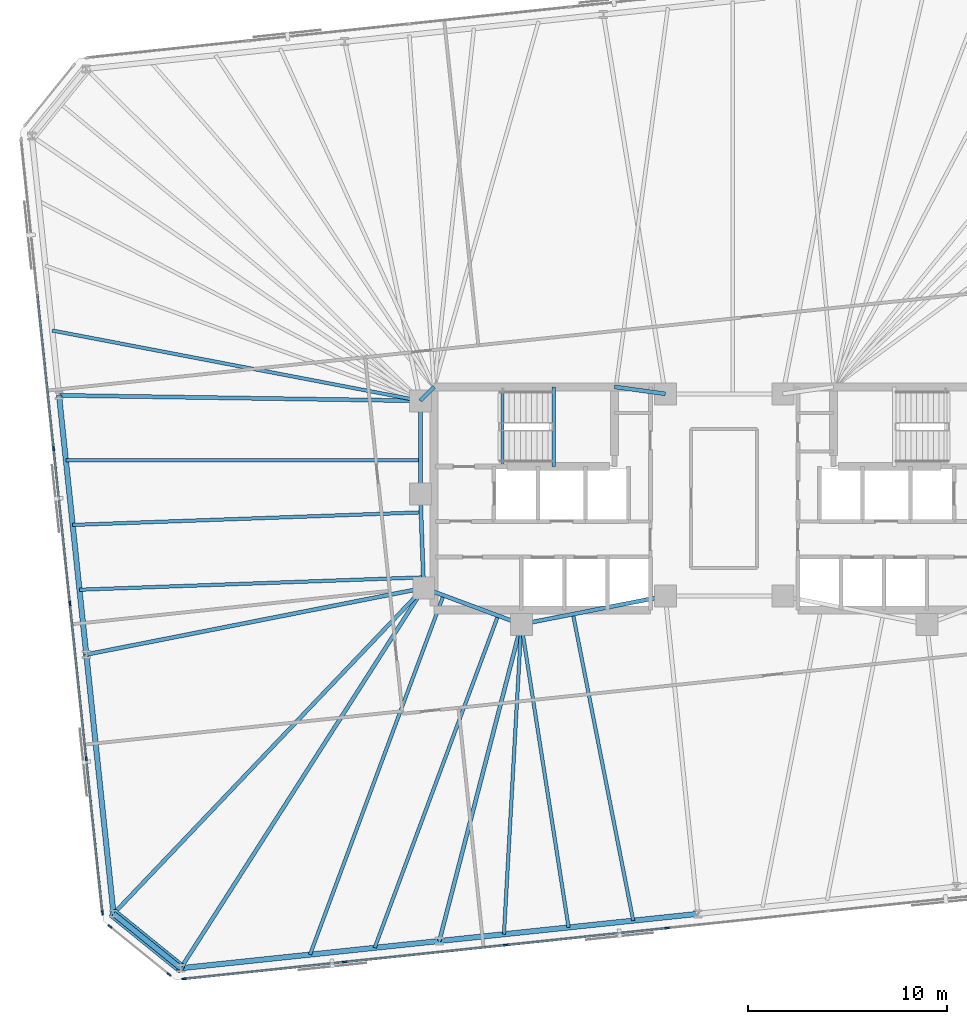
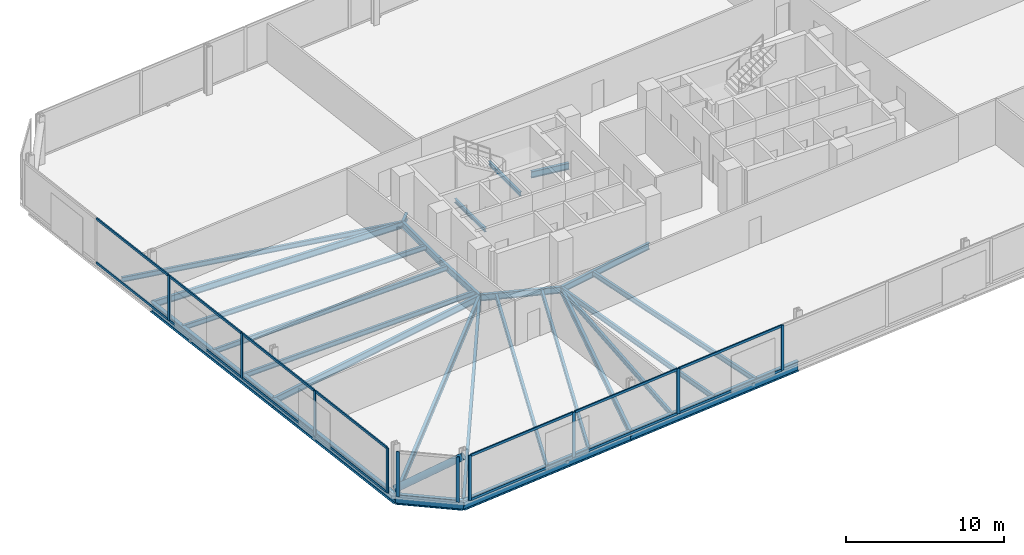
# One storey, part 6 of 18: 27 beams, 25 members, 3 elements without a shape of their own.
"""IFC4 building model written with IfcOpenShell, lengths in metres."""

from ifc_helpers import new_model, si_unit, direction, frame, origin, origin_2d, place, context, subcontext, project, spatial, rectangle, hollow_circle, i_section, extrude, material, material_profile, profile_set, type_object, element, aggregate, save


model = new_model("IFC4")

# Units and contexts
model_context = context("Model", 3, precision=1e-05, world=origin(), true_north=direction((0.0, 1.0)))
body_context = subcontext(model_context, "Body", "Model", "MODEL_VIEW")
ifc_project = project(units=[si_unit("LENGTHUNIT", "METRE"), si_unit("AREAUNIT", "SQUARE_METRE"), si_unit("VOLUMEUNIT", "CUBIC_METRE"), si_unit("PLANEANGLEUNIT", "RADIAN"), si_unit("MASSUNIT", "GRAM", prefix="KILO")], contexts=[model_context])

# Site, building, storey
site_placement = place(None, origin())
site = spatial("IfcSite", under=ifc_project, at=site_placement, CompositionType="ELEMENT")
building_placement = place(site_placement, origin())
building = spatial("IfcBuilding", under=site, at=building_placement, Name="Menara Jurai Vektor", CompositionType="ELEMENT")
storey_placement = place(building_placement, frame((0.0, 0.0, 135.5)))
storey = spatial("IfcBuildingStorey", under=building, at=storey_placement, Name="L34", CompositionType="ELEMENT", Elevation=135.5)

# Curtain wall, members
ifc_material_1 = material(Name="Anodised Pale Aluminium & Low-E Double Glazing", Category="aluminium")
curtain_wall_type = type_object("IfcCurtainWallType", Name="CW-BLK2", PredefinedType="NOTDEFINED", material=ifc_material_1)
curtain_wall_1_placement = place(storey_placement, origin())
curtain_wall_1 = element("IfcCurtainWall", 1, at=curtain_wall_1_placement, inside=storey, type_object=curtain_wall_type, Name="Unitised Curtain Wall L34 F01", PredefinedType="NOTDEFINED")
ifc_material_2 = material(Name="Anodised Pale Aluminium Mullion", Category="aluminium")
ifc_material_profile_1 = material_profile(ifc_material_2, rectangle(XDim=0.090087890625, YDim=0.219970703125, at=origin_2d()), Name="ALU MUL 90x220")
ifc_profile_set_1 = profile_set([ifc_material_profile_1], Name="Anodised Pale Aluminium Mullion")
member_type_1 = type_object("IfcMemberType", Name="CW-BLK2-MUL", PredefinedType="MULLION", material=ifc_profile_set_1)
member_1_placement = place(storey_placement, frame((-27.116455078125, -24.122314453125, 0.0), z_axis=(0.0, 0.0, 1.0), x_axis=(-0.104528634935, 0.994521877325, 0.0)))
member_1 = element("IfcMember", 2, at=member_1_placement, type_object=member_type_1, Name="CW-02 mullion 1", PredefinedType="MULLION", context=body_context, shape_type="SweptSolid", body=[
    extrude(rectangle(XDim=0.090087890625, YDim=0.219970703125, at=origin_2d()), origin(), (0.0, 0.0, 1.0), 3.47509765625),
])
member_2_placement = place(storey_placement, frame((-19.0634765625, -23.27587890625, 0.0), z_axis=(0.0, 0.0, 1.0), x_axis=(-0.104528634935, 0.994521877325, 0.0)))
member_2 = element("IfcMember", 3, at=member_2_placement, type_object=member_type_1, Name="CW-02 mullion 2", PredefinedType="MULLION", context=body_context, shape_type="SweptSolid", body=[
    extrude(rectangle(XDim=0.090087890625, YDim=0.219970703125, at=origin_2d()), origin(), (0.0, 0.0, 1.0), 3.47509765625),
])
member_3_placement = place(storey_placement, frame((-10.965576171875, -22.4248046875, 0.0), z_axis=(0.0, 0.0, 1.0), x_axis=(-0.104528634935, 0.994521877325, 0.0)))
member_3 = element("IfcMember", 4, at=member_3_placement, type_object=member_type_1, Name="CW-02 mullion 3", PredefinedType="MULLION", context=body_context, shape_type="SweptSolid", body=[
    extrude(rectangle(XDim=0.090087890625, YDim=0.219970703125, at=origin_2d()), origin(), (0.0, 0.0, 1.0), 3.47509765625),
])
member_4_placement = place(storey_placement, frame((-2.86767578125, -21.57373046875, 0.0), z_axis=(0.0, 0.0, 1.0), x_axis=(-0.104528634935, 0.994521877325, 0.0)))
member_4 = element("IfcMember", 5, at=member_4_placement, type_object=member_type_1, Name="CW-02 mullion 4", PredefinedType="MULLION", context=body_context, shape_type="SweptSolid", body=[
    extrude(rectangle(XDim=0.090087890625, YDim=0.219970703125, at=origin_2d()), origin(), (0.0, 0.0, 1.0), 3.47509765625),
])

curtain_wall_2_placement = place(storey_placement, origin())
curtain_wall_2 = element("IfcCurtainWall", 6, at=curtain_wall_2_placement, inside=storey, type_object=curtain_wall_type, Name="Unitised Curtain Wall L34 F07", PredefinedType="NOTDEFINED")
member_5_placement = place(storey_placement, frame((-33.66064453125, 2.50341796875, 0.0), z_axis=(0.0, 0.0, 1.0), x_axis=(0.99452177832, 0.104529576902, 0.0)))
member_5 = element("IfcMember", 7, at=member_5_placement, type_object=member_type_1, Name="CW-02 mullion 3", PredefinedType="MULLION", context=body_context, shape_type="SweptSolid", body=[
    extrude(rectangle(XDim=0.090087890625, YDim=0.219970703125, at=origin_2d()), origin(), (0.0, 0.0, 1.0), 3.47509765625),
])
member_6_placement = place(storey_placement, frame((-32.84228515625, -5.28173828125, 0.0), z_axis=(0.0, 0.0, 1.0), x_axis=(0.99452177832, 0.104529576902, 0.0)))
member_6 = element("IfcMember", 8, at=member_6_placement, type_object=member_type_1, Name="CW-02 mullion 4", PredefinedType="MULLION", context=body_context, shape_type="SweptSolid", body=[
    extrude(rectangle(XDim=0.090087890625, YDim=0.219970703125, at=origin_2d()), origin(), (0.0, 0.0, 1.0), 3.47509765625),
])
member_7_placement = place(storey_placement, frame((-32.024169921875, -13.06689453125, 0.0), z_axis=(0.0, 0.0, 1.0), x_axis=(0.99452177832, 0.104529576902, 0.0)))
member_7 = element("IfcMember", 9, at=member_7_placement, type_object=member_type_1, Name="CW-02 mullion 5", PredefinedType="MULLION", context=body_context, shape_type="SweptSolid", body=[
    extrude(rectangle(XDim=0.090087890625, YDim=0.219970703125, at=origin_2d()), origin(), (0.0, 0.0, 1.0), 3.47509765625),
])
member_8_placement = place(storey_placement, frame((-31.21044921875, -20.80712890625, 0.0), z_axis=(0.0, 0.0, 1.0), x_axis=(0.99452177832, 0.104529576902, 0.0)))
member_8 = element("IfcMember", 10, at=member_8_placement, type_object=member_type_1, Name="CW-02 mullion 6", PredefinedType="MULLION", context=body_context, shape_type="SweptSolid", body=[
    extrude(rectangle(XDim=0.090087890625, YDim=0.219970703125, at=origin_2d()), origin(), (0.0, 0.0, 1.0), 3.47509765625),
])

curtain_wall_3_placement = place(storey_placement, origin())
curtain_wall_3 = element("IfcCurtainWall", 11, at=curtain_wall_3_placement, inside=storey, type_object=curtain_wall_type, Name="Unitised Curtain Wall L34 F08", PredefinedType="NOTDEFINED")
member_9_placement = place(storey_placement, frame((-30.8359375, -21.497314453125, 0.0), z_axis=(0.0, 0.0, 1.0), x_axis=(0.629313085353, 0.777151877437, 0.0)))
member_9 = element("IfcMember", 12, at=member_9_placement, type_object=member_type_1, Name="CW-02 mullion 1", PredefinedType="MULLION", context=body_context, shape_type="SweptSolid", body=[
    extrude(rectangle(XDim=0.090087890625, YDim=0.219970703125, at=origin_2d()), origin(), (0.0, 0.0, 1.0), 3.47509765625),
])
member_10_placement = place(storey_placement, frame((-27.869384765625, -23.8994140625, 0.0), z_axis=(0.0, 0.0, 1.0), x_axis=(0.629313085353, 0.777151877437, 0.0)))
member_10 = element("IfcMember", 13, at=member_10_placement, type_object=member_type_1, Name="CW-02 mullion 2", PredefinedType="MULLION", context=body_context, shape_type="SweptSolid", body=[
    extrude(rectangle(XDim=0.090087890625, YDim=0.219970703125, at=origin_2d()), origin(), (0.0, 0.0, 1.0), 3.47509765625),
])
aggregate(curtain_wall_3, [member_9, member_10])

# Member
ifc_material_3 = material(Name="Anodised Pale Aluminium Transom", Category="aluminium")
ifc_material_profile_2 = material_profile(ifc_material_3, rectangle(XDim=0.090087890625, YDim=0.18505859375, at=origin_2d()), Name="ALU TRN 90x185")
ifc_profile_set_2 = profile_set([ifc_material_profile_2], Name="Anodised Pale Aluminium Transom")
member_type_2 = type_object("IfcMemberType", Name="CW-BLK2-TRN", PredefinedType="USERDEFINED", material=ifc_profile_set_2)
member_11_placement = place(storey_placement, frame((-27.07177734375, -24.11767578125, 0.044921875), z_axis=(0.994523147415, 0.10451655015, 0.0), x_axis=(-0.10451655015, 0.994523147415, 0.0)))
member_11 = element("IfcMember", 14, at=member_11_placement, type_object=member_type_2, Name="CW-02 transom 1.1", ObjectType="TRANSOM", PredefinedType="USERDEFINED", context=body_context, shape_type="SweptSolid", body=[
    extrude(rectangle(XDim=0.090087890625, YDim=0.18505859375, at=origin_2d()), origin(), (0.0, 0.0, 1.0), 8.007568359375),
])

member_12_placement = place(storey_placement, frame((-27.07177734375, -24.11767578125, 3.429931640625), z_axis=(0.994523147415, 0.10451655015, 0.0), x_axis=(-0.10451655015, 0.994523147415, 0.0)))
member_12 = element("IfcMember", 15, at=member_12_placement, type_object=member_type_2, Name="CW-02 transom 1.2", ObjectType="TRANSOM", PredefinedType="USERDEFINED", context=body_context, shape_type="SweptSolid", body=[
    extrude(rectangle(XDim=0.090087890625, YDim=0.18505859375, at=origin_2d()), origin(), (0.0, 0.0, 1.0), 8.007568359375),
])

member_13_placement = place(storey_placement, frame((-19.0185546875, -23.271240234375, 0.044921875), z_axis=(0.994520726373, 0.10453958492, 0.0), x_axis=(-0.10453958492, 0.994520726373, 0.0)))
member_13 = element("IfcMember", 16, at=member_13_placement, type_object=member_type_2, Name="CW-02 transom 2.1", ObjectType="TRANSOM", PredefinedType="USERDEFINED", context=body_context, shape_type="SweptSolid", body=[
    extrude(rectangle(XDim=0.090087890625, YDim=0.18505859375, at=origin_2d()), origin(), (0.0, 0.0, 1.0), 8.052490234375),
])

member_14_placement = place(storey_placement, frame((-19.0185546875, -23.271240234375, 3.429931640625), z_axis=(0.994520726373, 0.10453958492, 0.0), x_axis=(-0.10453958492, 0.994520726373, 0.0)))
member_14 = element("IfcMember", 17, at=member_14_placement, type_object=member_type_2, Name="CW-02 transom 2.2", ObjectType="TRANSOM", PredefinedType="USERDEFINED", context=body_context, shape_type="SweptSolid", body=[
    extrude(rectangle(XDim=0.090087890625, YDim=0.18505859375, at=origin_2d()), origin(), (0.0, 0.0, 1.0), 8.052490234375),
])

member_15_placement = place(storey_placement, frame((-10.920654296875, -22.420166015625, 0.044921875), z_axis=(0.994520726373, 0.10453958492, 0.0), x_axis=(-0.10453958492, 0.994520726373, 0.0)))
member_15 = element("IfcMember", 18, at=member_15_placement, type_object=member_type_2, Name="CW-02 transom 3.1", ObjectType="TRANSOM", PredefinedType="USERDEFINED", context=body_context, shape_type="SweptSolid", body=[
    extrude(rectangle(XDim=0.090087890625, YDim=0.18505859375, at=origin_2d()), origin(), (0.0, 0.0, 1.0), 8.052490234375),
])

member_16_placement = place(storey_placement, frame((-10.920654296875, -22.420166015625, 3.429931640625), z_axis=(0.994520726373, 0.10453958492, 0.0), x_axis=(-0.10453958492, 0.994520726373, 0.0)))
member_16 = element("IfcMember", 19, at=member_16_placement, type_object=member_type_2, Name="CW-02 transom 3.2", ObjectType="TRANSOM", PredefinedType="USERDEFINED", context=body_context, shape_type="SweptSolid", body=[
    extrude(rectangle(XDim=0.090087890625, YDim=0.18505859375, at=origin_2d()), origin(), (0.0, 0.0, 1.0), 8.052490234375),
])

aggregate(curtain_wall_1, [member_1, member_2, member_3, member_4, member_11, member_12, member_13, member_14, member_15, member_16])

member_17_placement = place(storey_placement, frame((-34.47412109375, 10.243896484375, 0.044921875), z_axis=(0.104525476786, -0.994522209256, 0.0), x_axis=(0.994522209256, 0.104525476786, 0.0)))
member_17 = element("IfcMember", 20, at=member_17_placement, type_object=member_type_2, Name="CW-02 transom 2.1", ObjectType="TRANSOM", PredefinedType="USERDEFINED", context=body_context, shape_type="SweptSolid", body=[
    extrude(rectangle(XDim=0.090087890625, YDim=0.18505859375, at=origin_2d()), origin(), (0.0, 0.0, 1.0), 7.73828125),
])

member_18_placement = place(storey_placement, frame((-34.47412109375, 10.243896484375, 3.429931640625), z_axis=(0.104525476786, -0.994522209256, 0.0), x_axis=(0.994522209256, 0.104525476786, 0.0)))
member_18 = element("IfcMember", 21, at=member_18_placement, type_object=member_type_2, Name="CW-02 transom 2.2", ObjectType="TRANSOM", PredefinedType="USERDEFINED", context=body_context, shape_type="SweptSolid", body=[
    extrude(rectangle(XDim=0.090087890625, YDim=0.18505859375, at=origin_2d()), origin(), (0.0, 0.0, 1.0), 7.73828125),
])

member_19_placement = place(storey_placement, frame((-33.65576171875, 2.458740234375, 0.044921875), z_axis=(0.104525476786, -0.994522209256, 0.0), x_axis=(0.994522209256, 0.104525476786, 0.0)))
member_19 = element("IfcMember", 22, at=member_19_placement, type_object=member_type_2, Name="CW-02 transom 3.1", ObjectType="TRANSOM", PredefinedType="USERDEFINED", context=body_context, shape_type="SweptSolid", body=[
    extrude(rectangle(XDim=0.090087890625, YDim=0.18505859375, at=origin_2d()), origin(), (0.0, 0.0, 1.0), 7.73828125),
])

member_20_placement = place(storey_placement, frame((-33.65576171875, 2.458740234375, 3.429931640625), z_axis=(0.104525476786, -0.994522209256, 0.0), x_axis=(0.994522209256, 0.104525476786, 0.0)))
member_20 = element("IfcMember", 23, at=member_20_placement, type_object=member_type_2, Name="CW-02 transom 3.2", ObjectType="TRANSOM", PredefinedType="USERDEFINED", context=body_context, shape_type="SweptSolid", body=[
    extrude(rectangle(XDim=0.090087890625, YDim=0.18505859375, at=origin_2d()), origin(), (0.0, 0.0, 1.0), 7.73828125),
])

member_21_placement = place(storey_placement, frame((-32.837646484375, -5.326416015625, 0.044921875), z_axis=(0.104525476786, -0.994522209256, 0.0), x_axis=(0.994522209256, 0.104525476786, 0.0)))
member_21 = element("IfcMember", 24, at=member_21_placement, type_object=member_type_2, Name="CW-02 transom 4.1", ObjectType="TRANSOM", PredefinedType="USERDEFINED", context=body_context, shape_type="SweptSolid", body=[
    extrude(rectangle(XDim=0.090087890625, YDim=0.18505859375, at=origin_2d()), origin(), (0.0, 0.0, 1.0), 7.73828125),
])

member_22_placement = place(storey_placement, frame((-32.837646484375, -5.326416015625, 3.429931640625), z_axis=(0.104525476786, -0.994522209256, 0.0), x_axis=(0.994522209256, 0.104525476786, 0.0)))
member_22 = element("IfcMember", 25, at=member_22_placement, type_object=member_type_2, Name="CW-02 transom 4.2", ObjectType="TRANSOM", PredefinedType="USERDEFINED", context=body_context, shape_type="SweptSolid", body=[
    extrude(rectangle(XDim=0.090087890625, YDim=0.18505859375, at=origin_2d()), origin(), (0.0, 0.0, 1.0), 7.73828125),
])

member_23_placement = place(storey_placement, frame((-32.019287109375, -13.111572265625, 0.044921875), z_axis=(0.104536105602, -0.994521092097, 0.0), x_axis=(0.994521092097, 0.104536105602, 0.0)))
member_23 = element("IfcMember", 26, at=member_23_placement, type_object=member_type_2, Name="CW-02 transom 5.1", ObjectType="TRANSOM", PredefinedType="USERDEFINED", context=body_context, shape_type="SweptSolid", body=[
    extrude(rectangle(XDim=0.090087890625, YDim=0.18505859375, at=origin_2d()), origin(), (0.0, 0.0, 1.0), 7.693115234375),
])

member_24_placement = place(storey_placement, frame((-32.019287109375, -13.111572265625, 3.429931640625), z_axis=(0.104536105602, -0.994521092097, 0.0), x_axis=(0.994521092097, 0.104536105602, 0.0)))
member_24 = element("IfcMember", 27, at=member_24_placement, type_object=member_type_2, Name="CW-02 transom 5.2", ObjectType="TRANSOM", PredefinedType="USERDEFINED", context=body_context, shape_type="SweptSolid", body=[
    extrude(rectangle(XDim=0.090087890625, YDim=0.18505859375, at=origin_2d()), origin(), (0.0, 0.0, 1.0), 7.693115234375),
])

aggregate(curtain_wall_2, [member_5, member_6, member_7, member_8, member_17, member_18, member_19, member_20, member_21, member_22, member_23, member_24])

# Beams
ifc_material_4 = material(Name="Steel S355", Category="steel")
ifc_material_profile_3 = material_profile(ifc_material_4, i_section(OverallWidth=0.199951171875, OverallDepth=0.5, WebThickness=0.011962890625, FlangeThickness=0.02001953125, at=origin_2d()), Name="PG 500x200x96")
ifc_profile_set_3 = profile_set([ifc_material_profile_3], Name="Steel S355")
beam_type_1 = type_object("IfcBeamType", Name="STR-BM-500", PredefinedType="BEAM", material=ifc_profile_set_3)
beam_1_placement = place(storey_placement, frame((-15.25, 4.89990234375, -0.47509765625), z_axis=(0.701871936926, 0.712303154672, 0.0), x_axis=(-0.712303154672, 0.701871936926, 0.0)))
element("IfcBeam", 28, at=beam_1_placement, inside=storey, type_object=beam_type_1, Name="Core Ring Header Girder L34-CHW-N1", PredefinedType="BEAM", context=body_context, shape_type="SweptSolid", body=[
    extrude(i_section(OverallWidth=0.199951171875, OverallDepth=0.5, WebThickness=0.011962890625, FlangeThickness=0.02001953125, at=origin_2d()), origin(), (0.0, 0.0, 1.0), 0.98291015625),
])
beam_2_placement = place(storey_placement, frame((-5.5, 5.60009765625, -0.47509765625), z_axis=(0.990706818608, -0.136014703483, 0.0), x_axis=(0.136014703483, 0.990706818608, 0.0)))
element("IfcBeam", 29, at=beam_2_placement, inside=storey, type_object=beam_type_1, Name="Core Ring Header Girder L34-CHW-N2", PredefinedType="BEAM", context=body_context, shape_type="SweptSolid", body=[
    extrude(i_section(OverallWidth=0.199951171875, OverallDepth=0.5, WebThickness=0.011962890625, FlangeThickness=0.02001953125, at=origin_2d()), origin(), (0.0, 0.0, 1.0), 2.573974609375),
])
beam_3_placement = place(storey_placement, frame((-15.25, 0.219970703125, -0.47509765625), z_axis=(0.0, 1.0, 0.0), x_axis=(-1.0, 0.0, 0.0)))
element("IfcBeam", 30, at=beam_3_placement, inside=storey, type_object=beam_type_1, Name="Core Ring Header Girder L34-CHW-W1", PredefinedType="BEAM", context=body_context, shape_type="SweptSolid", body=[
    extrude(i_section(OverallWidth=0.199951171875, OverallDepth=0.5, WebThickness=0.011962890625, FlangeThickness=0.02001953125, at=origin_2d()), origin(), (0.0, 0.0, 1.0), 4.679931640625),
])
beam_4_placement = place(storey_placement, frame((-15.080078125, -4.5, -0.47509765625), z_axis=(-0.035977314146, 0.999352606874, 0.0), x_axis=(-0.999352606874, -0.035977314146, 0.0)))
element("IfcBeam", 31, at=beam_4_placement, inside=storey, type_object=beam_type_1, Name="Core Ring Header Girder L34-CHW-W2", PredefinedType="BEAM", context=body_context, shape_type="SweptSolid", body=[
    extrude(i_section(OverallWidth=0.199951171875, OverallDepth=0.5, WebThickness=0.011962890625, FlangeThickness=0.02001953125, at=origin_2d()), origin(), (0.0, 0.0, 1.0), 4.72314453125),
])
beam_5_placement = place(storey_placement, frame((-15.080078125, -4.5, -0.47509765625), z_axis=(0.937424400887, -0.348188874925, 0.0), x_axis=(0.348188874925, 0.937424400887, 0.0)))
element("IfcBeam", 32, at=beam_5_placement, inside=storey, type_object=beam_type_1, Name="Core Ring Header Girder L34-CHW-S1", PredefinedType="BEAM", context=body_context, shape_type="SweptSolid", body=[
    extrude(i_section(OverallWidth=0.199951171875, OverallDepth=0.5, WebThickness=0.011962890625, FlangeThickness=0.02001953125, at=origin_2d()), origin(), (0.0, 0.0, 1.0), 5.227294921875),
])
beam_6_placement = place(storey_placement, frame((-10.179931640625, -6.320068359375, -0.47509765625), z_axis=(0.981249044334, 0.192744164614, 0.0), x_axis=(-0.192744164614, 0.981249044334, 0.0)))
element("IfcBeam", 33, at=beam_6_placement, inside=storey, type_object=beam_type_1, Name="Core Ring Header Girder L34-CHW-S2", PredefinedType="BEAM", context=body_context, shape_type="SweptSolid", body=[
    extrude(i_section(OverallWidth=0.199951171875, OverallDepth=0.5, WebThickness=0.011962890625, FlangeThickness=0.02001953125, at=origin_2d()), origin(), (0.0, 0.0, 1.0), 7.3681640625),
])
beam_7_placement = place(storey_placement, frame((-27.2763671875, -23.586181640625, -0.47509765625), z_axis=(0.538462629542, 0.842649391258, 0.0), x_axis=(-0.842649391258, 0.538462629542, 0.0)))
element("IfcBeam", 34, at=beam_7_placement, inside=storey, type_object=beam_type_1, Name="Radial Floor Girder L34-S1", PredefinedType="BEAM", context=body_context, shape_type="SweptSolid", body=[
    extrude(i_section(OverallWidth=0.199951171875, OverallDepth=0.5, WebThickness=0.011962890625, FlangeThickness=0.02001953125, at=origin_2d()), origin(), (0.0, 0.0, 1.0), 22.650146484375),
])
beam_8_placement = place(storey_placement, frame((-14.296630859375, -22.221923828125, -0.47509765625), z_axis=(0.250619644892, 0.968085633399, 0.0), x_axis=(-0.968085633399, 0.250619644892, 0.0)))
element("IfcBeam", 35, at=beam_8_placement, inside=storey, type_object=beam_type_1, Name="Radial Floor Girder L34-S2", PredefinedType="BEAM", context=body_context, shape_type="SweptSolid", body=[
    extrude(i_section(OverallWidth=0.199951171875, OverallDepth=0.5, WebThickness=0.011962890625, FlangeThickness=0.02001953125, at=origin_2d()), origin(), (0.0, 0.0, 1.0), 16.426025390625),
])
beam_9_placement = place(storey_placement, frame((-33.38818359375, 5.175048828125, -0.47509765625), z_axis=(0.999884963566, -0.015167716827, 0.0), x_axis=(0.015167716827, 0.999884963566, 0.0)))
element("IfcBeam", 36, at=beam_9_placement, inside=storey, type_object=beam_type_1, Name="Radial Floor Girder L34-W2", PredefinedType="BEAM", context=body_context, shape_type="SweptSolid", body=[
    extrude(i_section(OverallWidth=0.199951171875, OverallDepth=0.5, WebThickness=0.011962890625, FlangeThickness=0.02001953125, at=origin_2d()), origin(), (0.0, 0.0, 1.0), 18.140380859375),
])
beam_10_placement = place(storey_placement, frame((-32.0205078125, -7.83837890625, -0.47509765625), z_axis=(0.98113039493, 0.193347221714, 0.0), x_axis=(-0.193347221714, 0.98113039493, 0.0)))
element("IfcBeam", 37, at=beam_10_placement, inside=storey, type_object=beam_type_1, Name="Radial Floor Girder L34-W3", PredefinedType="BEAM", context=body_context, shape_type="SweptSolid", body=[
    extrude(i_section(OverallWidth=0.199951171875, OverallDepth=0.5, WebThickness=0.011962890625, FlangeThickness=0.02001953125, at=origin_2d()), origin(), (0.0, 0.0, 1.0), 17.266357421875),
])
beam_11_placement = place(storey_placement, frame((-30.65283203125, -20.85205078125, -0.47509765625), z_axis=(0.689640593718, 0.724151815227, 0.0), x_axis=(-0.724151815227, 0.689640593718, 0.0)))
element("IfcBeam", 38, at=beam_11_placement, inside=storey, type_object=beam_type_1, Name="Radial Floor Girder L34-W4", PredefinedType="BEAM", context=body_context, shape_type="SweptSolid", body=[
    extrude(i_section(OverallWidth=0.199951171875, OverallDepth=0.5, WebThickness=0.011962890625, FlangeThickness=0.02001953125, at=origin_2d()), origin(), (0.0, 0.0, 1.0), 22.5810546875),
])

# Member
ifc_material_5 = material(Name="Steel S460", Category="steel")
ifc_material_profile_4 = material_profile(ifc_material_5, hollow_circle(Radius=0.25390625, WallThickness=0.02001953125, at=origin_2d()), Name="CHS 508x20")
ifc_profile_set_4 = profile_set([ifc_material_profile_4], Name="Steel S460")
member_type_3 = type_object("IfcMemberType", Name="STR-BR-508", PredefinedType="BRACE", material=ifc_profile_set_4)
member_25_placement = place(storey_placement, frame((-30.65283203125, -20.85205078125, 0.14990234375), z_axis=(0.641223283484, -0.519237856236, 0.564999778203), x_axis=(0.629309762217, 0.777154568396, 0.0)))
element("IfcMember", 39, at=member_25_placement, inside=storey, type_object=member_type_3, Name="Exoskeleton Corner Brace L34-4", PredefinedType="BRACE", context=body_context, shape_type="SweptSolid", body=[
    extrude(hollow_circle(Radius=0.25390625, WallThickness=0.02001953125, at=origin_2d()), origin(), (0.0, 0.0, 1.0), 5.265625),
])

# Beams
ifc_material_profile_5 = material_profile(ifc_material_4, i_section(OverallWidth=0.175048828125, OverallDepth=0.3798828125, WebThickness=0.010009765625, FlangeThickness=0.014892578125, at=origin_2d()), Name="PG 380x175x58")
ifc_profile_set_5 = profile_set([ifc_material_profile_5], Name="Steel S355")
beam_type_2 = type_object("IfcBeamType", Name="STR-JS-380", PredefinedType="JOIST", material=ifc_profile_set_5)
beam_12_placement = place(storey_placement, frame((-20.78662109375, -22.904052734375, -0.4150390625), z_axis=(0.34819162731, 0.93742337856, 0.0), x_axis=(-0.93742337856, 0.34819162731, 0.0)))
element("IfcBeam", 40, at=beam_12_placement, inside=storey, type_object=beam_type_2, Name="Radial Secondary Floor Joist L34-JS01", PredefinedType="JOIST", context=body_context, shape_type="SweptSolid", body=[
    extrude(i_section(OverallWidth=0.175048828125, OverallDepth=0.3798828125, WebThickness=0.010009765625, FlangeThickness=0.014892578125, at=origin_2d()), origin(), (0.0, 0.0, 1.0), 19.2392578125),
])
beam_13_placement = place(storey_placement, frame((-17.54150390625, -22.56298828125, -0.4150390625), z_axis=(0.348184462185, 0.937426039906, 0.0), x_axis=(-0.937426039906, 0.348184462185, 0.0)))
element("IfcBeam", 41, at=beam_13_placement, inside=storey, type_object=beam_type_2, Name="Radial Secondary Floor Joist L34-JS02", PredefinedType="JOIST", context=body_context, shape_type="SweptSolid", body=[
    extrude(i_section(OverallWidth=0.175048828125, OverallDepth=0.3798828125, WebThickness=0.010009765625, FlangeThickness=0.014892578125, at=origin_2d()), origin(), (0.0, 0.0, 1.0), 17.789794921875),
])
beam_14_placement = place(storey_placement, frame((-11.0517578125, -21.880859375, -0.4150390625), z_axis=(0.055939382302, 0.998434166837, 0.0), x_axis=(-0.998434166837, 0.055939382302, 0.0)))
element("IfcBeam", 42, at=beam_14_placement, inside=storey, type_object=beam_type_2, Name="Radial Secondary Floor Joist L34-JS03", PredefinedType="JOIST", context=body_context, shape_type="SweptSolid", body=[
    extrude(i_section(OverallWidth=0.175048828125, OverallDepth=0.3798828125, WebThickness=0.010009765625, FlangeThickness=0.014892578125, at=origin_2d()), origin(), (0.0, 0.0, 1.0), 15.585205078125),
])
beam_15_placement = place(storey_placement, frame((-7.806884765625, -21.539794921875, -0.4150390625), z_axis=(-0.154057765645, 0.988061842622, 0.0), x_axis=(-0.988061842622, -0.154057765645, 0.0)))
element("IfcBeam", 43, at=beam_15_placement, inside=storey, type_object=beam_type_2, Name="Radial Secondary Floor Joist L34-JS04", PredefinedType="JOIST", context=body_context, shape_type="SweptSolid", body=[
    extrude(i_section(OverallWidth=0.175048828125, OverallDepth=0.3798828125, WebThickness=0.010009765625, FlangeThickness=0.014892578125, at=origin_2d()), origin(), (0.0, 0.0, 1.0), 15.403564453125),
])
beam_16_placement = place(storey_placement, frame((-4.56201171875, -21.19873046875, -0.4150390625), z_axis=(-0.19271398667, 0.981254971627, 0.0), x_axis=(-0.981254971627, -0.19271398667, 0.0)))
element("IfcBeam", 44, at=beam_16_placement, inside=storey, type_object=beam_type_2, Name="Radial Secondary Floor Joist L34-JS05", PredefinedType="JOIST", context=body_context, shape_type="SweptSolid", body=[
    extrude(i_section(OverallWidth=0.175048828125, OverallDepth=0.3798828125, WebThickness=0.010009765625, FlangeThickness=0.014892578125, at=origin_2d()), origin(), (0.0, 0.0, 1.0), 15.682373046875),
])
beam_17_placement = place(storey_placement, frame((-33.730224609375, 8.428466796875, -0.4150390625), z_axis=(0.982255215221, -0.187549172674, 0.0), x_axis=(0.187549172674, 0.982255215221, 0.0)))
element("IfcBeam", 45, at=beam_17_placement, inside=storey, type_object=beam_type_2, Name="Radial Secondary Floor Joist L34-JS38", PredefinedType="JOIST", context=body_context, shape_type="SweptSolid", body=[
    extrude(i_section(OverallWidth=0.175048828125, OverallDepth=0.3798828125, WebThickness=0.010009765625, FlangeThickness=0.014892578125, at=origin_2d()), origin(), (0.0, 0.0, 1.0), 18.81396484375),
])
beam_18_placement = place(storey_placement, frame((-33.04638671875, 1.921630859375, -0.4150390625), z_axis=(1.0, 0.0, 0.0), x_axis=(0.0, 1.0, 0.0)))
element("IfcBeam", 46, at=beam_18_placement, inside=storey, type_object=beam_type_2, Name="Radial Secondary Floor Joist L34-JS39", PredefinedType="JOIST", context=body_context, shape_type="SweptSolid", body=[
    extrude(i_section(OverallWidth=0.175048828125, OverallDepth=0.3798828125, WebThickness=0.010009765625, FlangeThickness=0.014892578125, at=origin_2d()), origin(), (0.0, 0.0, 1.0), 17.79638671875),
])
beam_19_placement = place(storey_placement, frame((-32.704345703125, -1.331787109375, -0.4150390625), z_axis=(0.999351948809, 0.035995588769, 0.0), x_axis=(-0.035995588769, 0.999351948809, 0.0)))
element("IfcBeam", 47, at=beam_19_placement, inside=storey, type_object=beam_type_2, Name="Radial Secondary Floor Joist L34-JS40", PredefinedType="JOIST", context=body_context, shape_type="SweptSolid", body=[
    extrude(i_section(OverallWidth=0.175048828125, OverallDepth=0.3798828125, WebThickness=0.010009765625, FlangeThickness=0.014892578125, at=origin_2d()), origin(), (0.0, 0.0, 1.0), 17.498779296875),
])
beam_20_placement = place(storey_placement, frame((-32.362548828125, -4.5849609375, -0.4150390625), z_axis=(0.999352405578, 0.03598290517, 0.0), x_axis=(-0.03598290517, 0.999352405578, 0.0)))
element("IfcBeam", 48, at=beam_20_placement, inside=storey, type_object=beam_type_2, Name="Radial Secondary Floor Joist L34-JS41", PredefinedType="JOIST", context=body_context, shape_type="SweptSolid", body=[
    extrude(i_section(OverallWidth=0.175048828125, OverallDepth=0.3798828125, WebThickness=0.010009765625, FlangeThickness=0.014892578125, at=origin_2d()), origin(), (0.0, 0.0, 1.0), 17.2744140625),
])
ifc_material_profile_6 = material_profile(ifc_material_4, i_section(OverallWidth=0.1650390625, OverallDepth=0.302978515625, WebThickness=0.006103515625, FlangeThickness=0.010009765625, FilletRadius=0.009033203125, at=origin_2d()), Name="UKB 305x165x40")
ifc_profile_set_6 = profile_set([ifc_material_profile_6], Name="Steel S355")
beam_type_3 = type_object("IfcBeamType", Name="STR-LN-305", PredefinedType="LINTEL", material=ifc_profile_set_6)
beam_21_placement = place(storey_placement, frame((-11.1201171875, 1.60009765625, -0.37646484375), z_axis=(0.0, 1.0, 0.0), x_axis=(-1.0, 0.0, 0.0)))
element("IfcBeam", 49, at=beam_21_placement, inside=storey, type_object=beam_type_3, Name="Stair Well Floor Trimmer ST1 L34", PredefinedType="LINTEL", context=body_context, shape_type="SweptSolid", body=[
    extrude(i_section(OverallWidth=0.1650390625, OverallDepth=0.302978515625, WebThickness=0.006103515625, FlangeThickness=0.010009765625, FilletRadius=0.009033203125, at=origin_2d()), origin(), (0.0, 0.0, 1.0), 3.81982421875),
])
beam_22_placement = place(storey_placement, frame((-8.550048828125, 1.60009765625, 1.49853515625), z_axis=(0.0, 1.0, 0.0), x_axis=(-1.0, 0.0, 0.0)))
element("IfcBeam", 50, at=beam_22_placement, inside=storey, type_object=beam_type_3, Name="Stair Half-Landing Nosing Trimmer ST1-1 L34", PredefinedType="LINTEL", context=body_context, shape_type="SweptSolid", body=[
    extrude(i_section(OverallWidth=0.1650390625, OverallDepth=0.302978515625, WebThickness=0.006103515625, FlangeThickness=0.010009765625, FilletRadius=0.009033203125, at=origin_2d()), origin(), (0.0, 0.0, 1.0), 4.0),
])
ifc_material_profile_7 = material_profile(ifc_material_5, i_section(OverallWidth=0.26806640625, OverallDepth=0.77001953125, WebThickness=0.01611328125, FlangeThickness=0.02490234375, FilletRadius=0.01708984375, at=origin_2d()), Name="UKB 762x267x197")
ifc_profile_set_7 = profile_set([ifc_material_profile_7], Name="Steel S460")
beam_type_4 = type_object("IfcBeamType", Name="STR-SP-762", PredefinedType="SPANDREL", material=ifc_profile_set_7)
for number, where, z_axis, x_axis, name in (
    (51, (-27.2763671875, -23.586181640625, -0.610107421875), (0.994521636083, 0.104530930169, 0.0), (-0.104530930169, 0.994521636083, 0.0), "Exoskeleton Spandrel Beam L34-01"),
    (52, (-14.296630859375, -22.221923828125, -0.610107421875), (0.994523580592, 0.104512428191, 0.0), (-0.104512428191, 0.994523580592, 0.0), "Exoskeleton Spandrel Beam L34-02"),
):
    element("IfcBeam", number, at=place(storey_placement, frame(where, z_axis=z_axis, x_axis=x_axis)), inside=storey, type_object=beam_type_4, Name=name, PredefinedType="SPANDREL", context=body_context, shape_type="SweptSolid", body=[
        extrude(i_section(OverallWidth=0.26806640625, OverallDepth=0.77001953125, WebThickness=0.01611328125, FlangeThickness=0.02490234375, FilletRadius=0.01708984375, at=origin_2d()), origin(), (0.0, 0.0, 1.0), 13.05126953125),
    ])
beam_23_placement = place(storey_placement, frame((-33.38818359375, 5.175048828125, -0.610107421875), z_axis=(0.104521615846, -0.994522615037, 0.0), x_axis=(0.994522615037, 0.104521615846, 0.0)))
element("IfcBeam", 53, at=beam_23_placement, inside=storey, type_object=beam_type_4, Name="Exoskeleton Spandrel Beam L34-18", PredefinedType="SPANDREL", context=body_context, shape_type="SweptSolid", body=[
    extrude(i_section(OverallWidth=0.26806640625, OverallDepth=0.77001953125, WebThickness=0.01611328125, FlangeThickness=0.02490234375, FilletRadius=0.01708984375, at=origin_2d()), origin(), (0.0, 0.0, 1.0), 13.085205078125),
])
beam_24_placement = place(storey_placement, frame((-32.0205078125, -7.83837890625, -0.610107421875), z_axis=(0.104519676409, -0.994522818865, 0.0), x_axis=(0.994522818865, 0.104519676409, 0.0)))
element("IfcBeam", 54, at=beam_24_placement, inside=storey, type_object=beam_type_4, Name="Exoskeleton Spandrel Beam L34-19", PredefinedType="SPANDREL", context=body_context, shape_type="SweptSolid", body=[
    extrude(i_section(OverallWidth=0.26806640625, OverallDepth=0.77001953125, WebThickness=0.01611328125, FlangeThickness=0.02490234375, FilletRadius=0.01708984375, at=origin_2d()), origin(), (0.0, 0.0, 1.0), 13.08544921875),
])
beam_25_placement = place(storey_placement, frame((-30.65283203125, -20.85205078125, -0.610107421875), z_axis=(0.777154568396, -0.629309762217, 0.0), x_axis=(0.629309762217, 0.777154568396, 0.0)))
element("IfcBeam", 55, at=beam_25_placement, inside=storey, type_object=beam_type_4, Name="Exoskeleton Spandrel Beam L34-20", PredefinedType="SPANDREL", context=body_context, shape_type="SweptSolid", body=[
    extrude(i_section(OverallWidth=0.26806640625, OverallDepth=0.77001953125, WebThickness=0.01611328125, FlangeThickness=0.02490234375, FilletRadius=0.01708984375, at=origin_2d()), origin(), (0.0, 0.0, 1.0), 4.3447265625),
])

save(model, "model.ifc")
